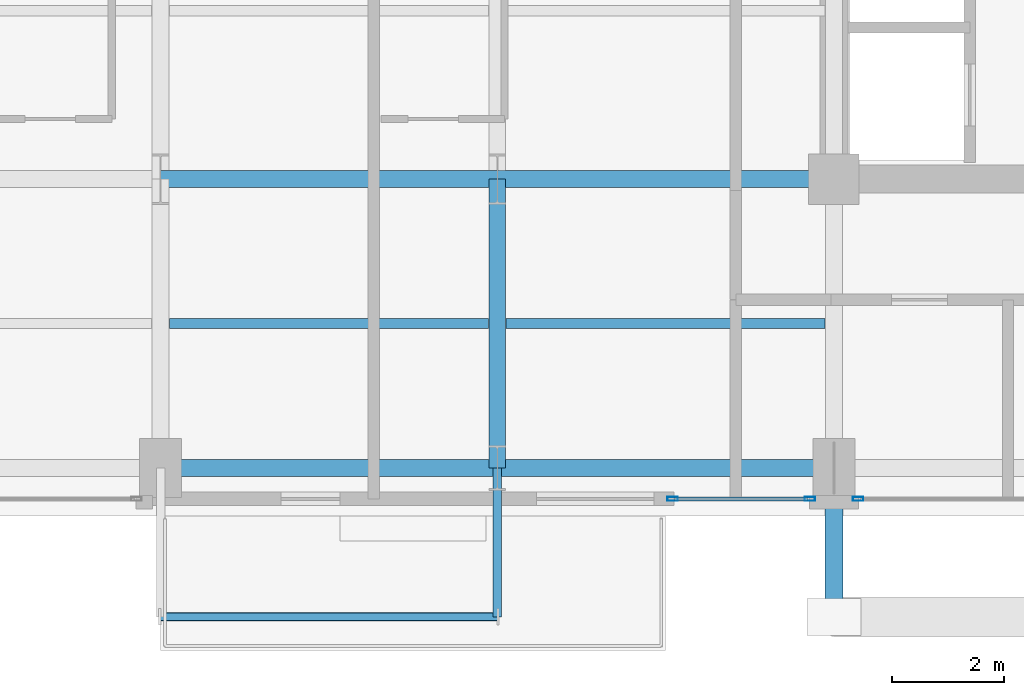
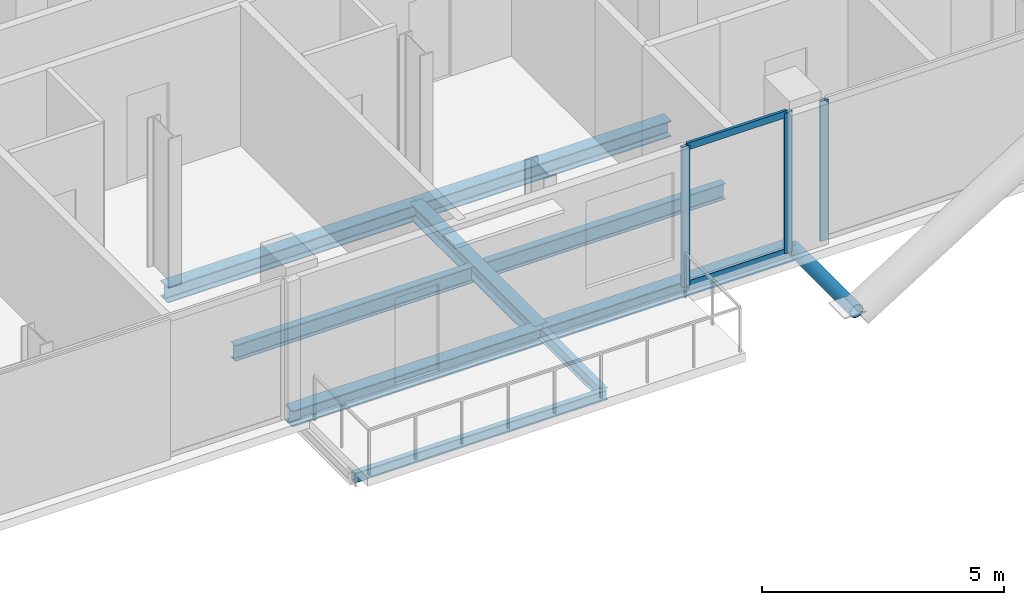
# One storey, part 4 of 22: 9 beams, 6 members, 2 elements without a shape of their own.
"""IFC4 building model written with IfcOpenShell, lengths in metres."""

from ifc_helpers import new_model, si_unit, direction, frame, origin, origin_2d, place, context, subcontext, project, spatial, hollow_rectangle, hollow_circle, i_section, extrude, material, layer, layer_set, material_profile, profile_set, type_object, element, aggregate, save


model = new_model("IFC4")

# Units and contexts
model_context = context("Model", 3, precision=1e-05, world=origin(), true_north=direction((0.0, 1.0)))
body_context = subcontext(model_context, "Body", "Model", "MODEL_VIEW")
ifc_project = project(units=[si_unit("LENGTHUNIT", "METRE"), si_unit("AREAUNIT", "SQUARE_METRE"), si_unit("VOLUMEUNIT", "CUBIC_METRE"), si_unit("PLANEANGLEUNIT", "RADIAN"), si_unit("MASSUNIT", "GRAM", prefix="KILO"), si_unit("THERMODYNAMICTEMPERATUREUNIT", "KELVIN"), si_unit("POWERUNIT", "WATT")], contexts=[model_context])

# Site, building, storey
site_placement = place(None, origin())
site = spatial("IfcSite", under=ifc_project, at=site_placement, CompositionType="ELEMENT")
building_placement = place(site_placement, origin())
building = spatial("IfcBuilding", under=site, at=building_placement, Name="Svarakhadi Broadcast Tower", CompositionType="ELEMENT")
storey_placement = place(building_placement, frame((0.0, 0.0, 176.699951171875)))
storey = spatial("IfcBuildingStorey", under=building, at=storey_placement, Name="L43", CompositionType="ELEMENT", Elevation=176.699951171875)

# Beams
ifc_material_1 = material(Name="Steel S355J2 (IS 2062 E350C)", Category="steel")
ifc_material_profile_1 = material_profile(ifc_material_1, i_section(OverallWidth=0.179931640625, OverallDepth=0.39990234375, WebThickness=0.008544921875, FlangeThickness=0.013427734375, FilletRadius=0.02099609375, at=origin_2d()), Name="NPB 400x180x66")
ifc_profile_set_1 = profile_set([ifc_material_profile_1], Name="Steel S355J2 (IS 2062 E350C)")
beam_type_1 = type_object("IfcBeamType", Name="Beam_NPB400", PredefinedType="BEAM", material=ifc_profile_set_1)
for number, where, z_axis, x_axis, name in (
    (1, (12.159912109375, 3.425048828125, -0.409912109375), (1.0, 0.0, 0.0), (0.0, 1.0, 0.0), "L43 Secondary Composite Beam SB009"),
    (2, (18.159912109375, 3.425048828125, -0.409912109375), (1.0, 0.0, 0.0), (0.0, 1.0, 0.0), "L43 Secondary Composite Beam SB013"),
):
    element("IfcBeam", number, at=place(storey_placement, frame(where, z_axis=z_axis, x_axis=x_axis)), inside=storey, type_object=beam_type_1, Name=name, PredefinedType="BEAM", context=body_context, shape_type="SweptSolid", body=[
        extrude(i_section(OverallWidth=0.179931640625, OverallDepth=0.39990234375, WebThickness=0.008544921875, FlangeThickness=0.013427734375, FilletRadius=0.02099609375, at=origin_2d()), origin(), (0.0, 0.0, 1.0), 5.68017578125),
    ])

# Curtain wall, member
ifc_material_2 = material(Name="Anodised Bronze Aluminium AA 6063-T6", Category="aluminium")
ifc_layer = layer(ifc_material_2, 0.18994140625)
ifc_layer_set = layer_set([ifc_layer], Name="Anodised Bronze Aluminium AA 6063-T6")
curtain_wall_type = type_object("IfcCurtainWallType", Name="CW_Sys_04", PredefinedType="NOTDEFINED", material=ifc_layer_set)
curtain_wall_1_placement = place(storey_placement, origin())
curtain_wall_1 = element("IfcCurtainWall", 3, at=curtain_wall_1_placement, inside=storey, type_object=curtain_wall_type, Name="L43 South Curtain Wall 16 Bay 3", PredefinedType="NOTDEFINED")
ifc_material_profile_2 = material_profile(ifc_material_2, hollow_rectangle(XDim=0.070068359375, YDim=0.18994140625, WallThickness=0.005615234375, at=origin_2d()), Name="ALU MULLION 190x70x6")
ifc_profile_set_2 = profile_set([ifc_material_profile_2], Name="Anodised Bronze Aluminium AA 6063-T6")
member_type_1 = type_object("IfcMemberType", Name="CW_Sys_04_Mul", PredefinedType="MULLION", material=ifc_profile_set_2)
member_1_placement = place(storey_placement, frame((24.429931640625, 0.300048828125, 0.0), z_axis=(0.0, 0.0, 1.0), x_axis=(0.0, -1.0, 0.0)))
member_1 = element("IfcMember", 4, at=member_1_placement, type_object=member_type_1, Name="CW-04 mullion 2", PredefinedType="MULLION", context=body_context, shape_type="SweptSolid", body=[
    extrude(hollow_rectangle(XDim=0.070068359375, YDim=0.18994140625, WallThickness=0.005615234375, at=origin_2d()), origin(), (0.0, 0.0, 1.0), 3.5400390625),
])
aggregate(curtain_wall_1, [member_1])

# Curtain wall, members
curtain_wall_2_placement = place(storey_placement, origin())
curtain_wall_2 = element("IfcCurtainWall", 5, at=curtain_wall_2_placement, inside=storey, type_object=curtain_wall_type, Name="L43 South Curtain Wall 16 Bay 4", PredefinedType="NOTDEFINED")
member_2_placement = place(storey_placement, frame((23.570068359375, 0.300048828125, 0.0), z_axis=(0.0, 0.0, 1.0), x_axis=(0.0, -1.0, 0.0)))
member_2 = element("IfcMember", 6, at=member_2_placement, type_object=member_type_1, Name="CW-04 mullion 1", PredefinedType="MULLION", context=body_context, shape_type="SweptSolid", body=[
    extrude(hollow_rectangle(XDim=0.070068359375, YDim=0.18994140625, WallThickness=0.005615234375, at=origin_2d()), origin(), (0.0, 0.0, 1.0), 3.5400390625),
])
member_3_placement = place(storey_placement, frame((21.125, 0.300048828125, 0.0), z_axis=(0.0, 0.0, 1.0), x_axis=(0.0, -1.0, 0.0)))
member_3 = element("IfcMember", 7, at=member_3_placement, type_object=member_type_1, Name="CW-04 mullion 2", PredefinedType="MULLION", context=body_context, shape_type="SweptSolid", body=[
    extrude(hollow_rectangle(XDim=0.070068359375, YDim=0.18994140625, WallThickness=0.005615234375, at=origin_2d()), origin(), (0.0, 0.0, 1.0), 3.5400390625),
])
ifc_material_profile_3 = material_profile(ifc_material_2, hollow_rectangle(XDim=0.06494140625, YDim=0.175048828125, WallThickness=0.0048828125, at=origin_2d()), Name="ALU TRANSOM 175x65x5")
ifc_profile_set_3 = profile_set([ifc_material_profile_3], Name="Anodised Bronze Aluminium AA 6063-T6")
member_type_2 = type_object("IfcMemberType", Name="CW_Sys_04_Trn", PredefinedType="USERDEFINED", material=ifc_profile_set_3)
member_4_placement = place(storey_placement, frame((23.534912109375, 0.300048828125, 0.032470703125), z_axis=(-1.0, 0.0, 0.0), x_axis=(0.0, -1.0, 0.0)))
member_4 = element("IfcMember", 8, at=member_4_placement, type_object=member_type_2, Name="CW-04 transom 1.1", ObjectType="TRANSOM", PredefinedType="USERDEFINED", context=body_context, shape_type="SweptSolid", body=[
    extrude(hollow_rectangle(XDim=0.06494140625, YDim=0.175048828125, WallThickness=0.0048828125, at=origin_2d()), origin(), (0.0, 0.0, 1.0), 2.375),
])
member_5_placement = place(storey_placement, frame((23.534912109375, 0.300048828125, 3.507568359375), z_axis=(-1.0, 0.0, 0.0), x_axis=(0.0, -1.0, 0.0)))
member_5 = element("IfcMember", 9, at=member_5_placement, type_object=member_type_2, Name="CW-04 transom 1.2", ObjectType="TRANSOM", PredefinedType="USERDEFINED", context=body_context, shape_type="SweptSolid", body=[
    extrude(hollow_rectangle(XDim=0.06494140625, YDim=0.175048828125, WallThickness=0.0048828125, at=origin_2d()), origin(), (0.0, 0.0, 1.0), 2.375),
])
aggregate(curtain_wall_2, [member_2, member_3, member_4, member_5])

# Member
ifc_material_3 = material(Name="Steel S460ML (IS 2062 E450BR)", Category="steel")
ifc_material_profile_4 = material_profile(ifc_material_3, hollow_circle(Radius=0.161865234375, WallThickness=0.01611328125, at=origin_2d()), Name="CHS 323.9x16")
ifc_profile_set_4 = profile_set([ifc_material_profile_4], Name="Steel S460ML (IS 2062 E450BR)")
member_type_3 = type_object("IfcMemberType", Name="Exo_Radial_Strut_Z2", PredefinedType="STRUT", material=ifc_profile_set_4)
member_6_placement = place(storey_placement, frame((24.0, -1.800048828125, -0.371826171875), z_axis=(0.0, 1.0, 0.0), x_axis=(-1.0, 0.0, 0.0)))
element("IfcMember", 10, at=member_6_placement, inside=storey, type_object=member_type_3, Name="L43 Exoskeleton Radial Tie Strut S01", PredefinedType="STRUT", context=body_context, shape_type="SweptSolid", body=[
    extrude(hollow_circle(Radius=0.161865234375, WallThickness=0.01611328125, at=origin_2d()), origin(), (0.0, 0.0, 1.0), 2.650146484375),
])

# Beams
ifc_material_profile_5 = material_profile(ifc_material_1, i_section(OverallWidth=0.300048828125, OverallDepth=0.39990234375, WebThickness=0.013427734375, FlangeThickness=0.02392578125, FilletRadius=0.027099609375, at=origin_2d()), Name="WPB 400x300x155")
ifc_profile_set_5 = profile_set([ifc_material_profile_5], Name="Steel S355J2 (IS 2062 E350C)")
beam_type_2 = type_object("IfcBeamType", Name="Girder_WPB400", PredefinedType="USERDEFINED", material=ifc_profile_set_5)
for number, where, z_axis, x_axis, name in (
    (11, (12.0, 0.85009765625, -0.409912109375), (1.0, 0.0, 0.0), (0.0, 1.0, 0.0), "L43 Primary E-W Girder G005"),
    (12, (18.0, 0.85009765625, -0.409912109375), (1.0, 0.0, 0.0), (0.0, 1.0, 0.0), "L43 Primary E-W Girder G006"),
    (13, (12.0, 6.0, -0.409912109375), (1.0, 0.0, 0.0), (0.0, 1.0, 0.0), "L43 Primary E-W Girder G011"),
    (14, (18.0, 6.0, -0.409912109375), (1.0, 0.0, 0.0), (0.0, 1.0, 0.0), "L43 Primary E-W Girder G012"),
):
    element("IfcBeam", number, at=place(storey_placement, frame(where, z_axis=z_axis, x_axis=x_axis)), inside=storey, type_object=beam_type_2, Name=name, ObjectType="GIRDER", PredefinedType="USERDEFINED", context=body_context, shape_type="SweptSolid", body=[
        extrude(i_section(OverallWidth=0.300048828125, OverallDepth=0.39990234375, WebThickness=0.013427734375, FlangeThickness=0.02392578125, FilletRadius=0.027099609375, at=origin_2d()), origin(), (0.0, 0.0, 1.0), 6.0),
    ])
beam_1_placement = place(storey_placement, frame((18.0, 0.85009765625, -0.409912109375), z_axis=(0.0, 1.0, 0.0), x_axis=(-1.0, 0.0, 0.0)))
element("IfcBeam", 15, at=beam_1_placement, inside=storey, type_object=beam_type_2, Name="L43 Primary N-S Girder G046", ObjectType="GIRDER", PredefinedType="USERDEFINED", context=body_context, shape_type="SweptSolid", body=[
    extrude(i_section(OverallWidth=0.300048828125, OverallDepth=0.39990234375, WebThickness=0.013427734375, FlangeThickness=0.02392578125, FilletRadius=0.027099609375, at=origin_2d()), origin(), (0.0, 0.0, 1.0), 5.14990234375),
])
ifc_material_profile_6 = material_profile(ifc_material_1, i_section(OverallWidth=0.14990234375, OverallDepth=0.300048828125, WebThickness=0.007080078125, FlangeThickness=0.0107421875, FilletRadius=0.014892578125, at=origin_2d()), Name="NPB 300x150x37")
ifc_profile_set_6 = profile_set([ifc_material_profile_6], Name="Steel S355J2 (IS 2062 E350C)")
beam_type_3 = type_object("IfcBeamType", Name="Spandrel_NPB300", PredefinedType="SPANDREL", material=ifc_profile_set_6)
beam_2_placement = place(storey_placement, frame((18.0, 0.85009765625, -0.375), z_axis=(0.0, -1.0, 0.0), x_axis=(1.0, 0.0, 0.0)))
element("IfcBeam", 16, at=beam_2_placement, inside=storey, type_object=beam_type_3, Name="L43 Balcony Cantilever Bracket 1B", PredefinedType="SPANDREL", context=body_context, shape_type="SweptSolid", body=[
    extrude(i_section(OverallWidth=0.14990234375, OverallDepth=0.300048828125, WebThickness=0.007080078125, FlangeThickness=0.0107421875, FilletRadius=0.014892578125, at=origin_2d()), origin(), (0.0, 0.0, 1.0), 2.650146484375),
])
ifc_material_profile_7 = material_profile(ifc_material_3, hollow_rectangle(XDim=0.14990234375, YDim=0.25, WallThickness=0.010009765625, InnerFilletRadius=0.010009765625, OuterFilletRadius=0.02001953125, at=origin_2d()), Name="RHS 250x150x10")
ifc_profile_set_7 = profile_set([ifc_material_profile_7], Name="Steel S460ML (IS 2062 E450BR)")
beam_type_4 = type_object("IfcBeamType", Name="Spandrel_RHS250", PredefinedType="SPANDREL", material=ifc_profile_set_7)
beam_3_placement = place(storey_placement, frame((12.0, -1.800048828125, -0.349853515625), z_axis=(1.0, 0.0, 0.0), x_axis=(0.0, 1.0, 0.0)))
element("IfcBeam", 17, at=beam_3_placement, inside=storey, type_object=beam_type_4, Name="L43 Balcony Outer Spandrel 1F", PredefinedType="SPANDREL", context=body_context, shape_type="SweptSolid", body=[
    extrude(hollow_rectangle(XDim=0.14990234375, YDim=0.25, WallThickness=0.010009765625, InnerFilletRadius=0.010009765625, OuterFilletRadius=0.02001953125, at=origin_2d()), origin(), (0.0, 0.0, 1.0), 6.0),
])

save(model, "model.ifc")
